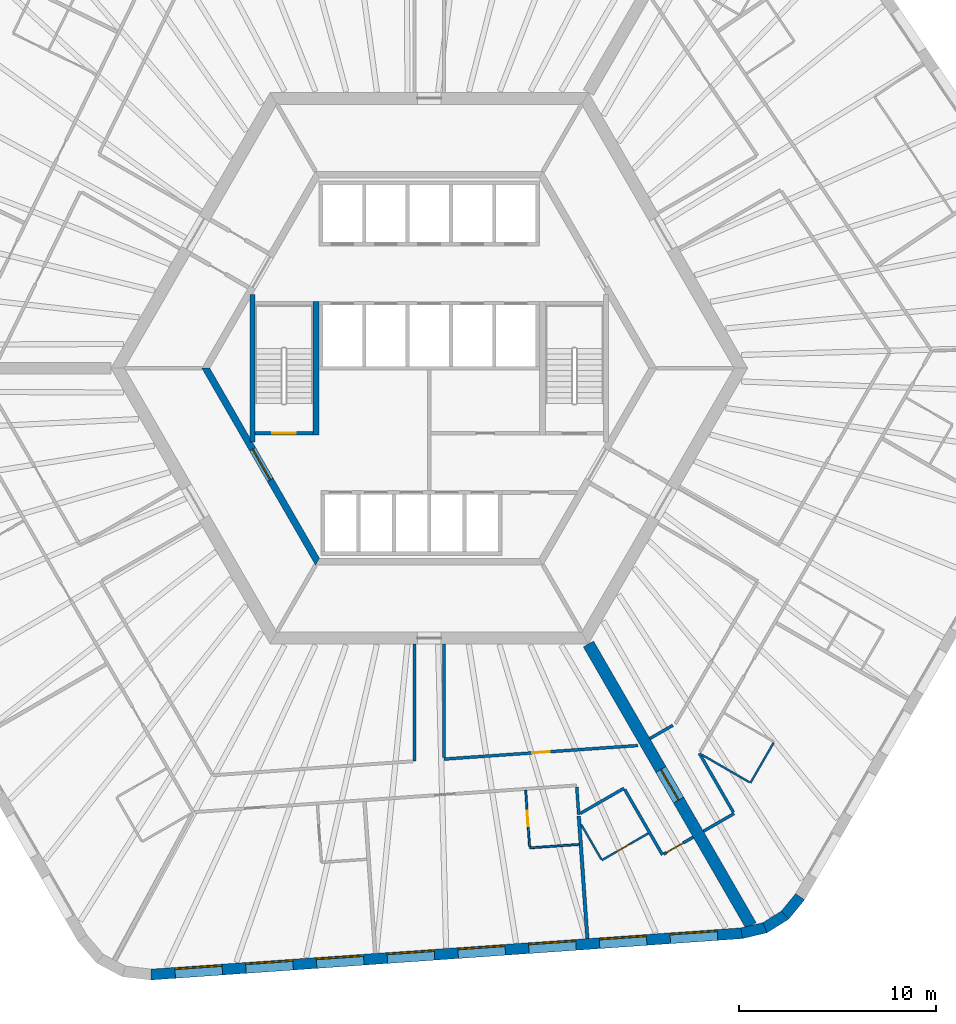
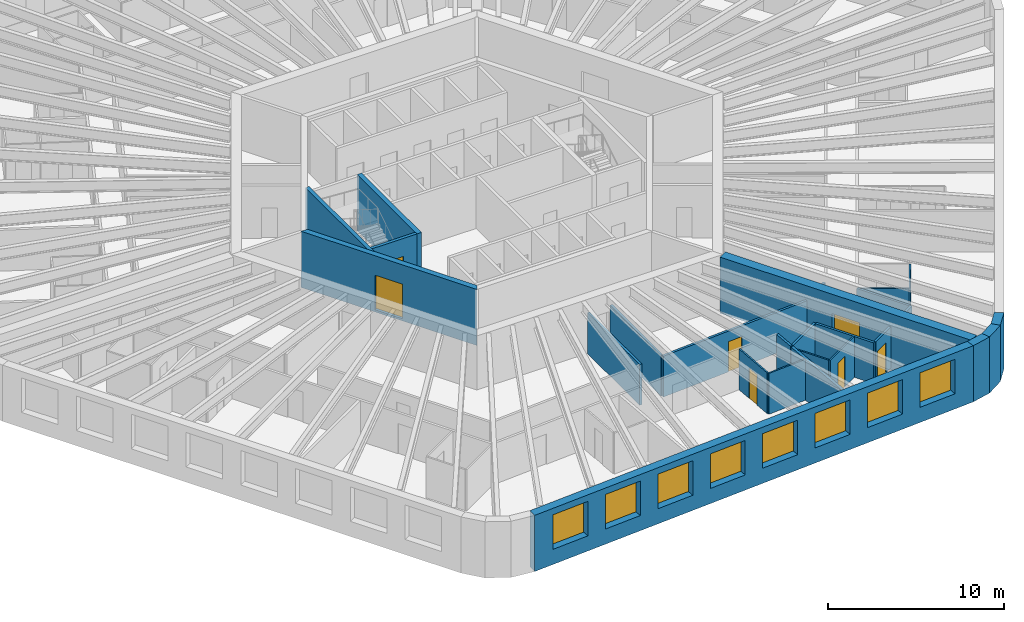
# One storey, part 4 of 12: 26 walls, 8 windows, 7 doors, 15 openings.
"""IFC4 building model written with IfcOpenShell, lengths in metres."""

from ifc_helpers import new_model, si_unit, direction, frame, frame_2d, origin, place, context, subcontext, project, spatial, polyline, rectangle, outline, extrude, material, layer, layer_set, type_object, element, fill, save


model = new_model("IFC4")

# Units and contexts
model_context = context("Model", 3, precision=1e-05, world=origin(), true_north=direction((0.0, 1.0)))
body_context = subcontext(model_context, "Body", "Model", "MODEL_VIEW")
ifc_project = project(units=[si_unit("LENGTHUNIT", "METRE"), si_unit("AREAUNIT", "SQUARE_METRE"), si_unit("VOLUMEUNIT", "CUBIC_METRE"), si_unit("PLANEANGLEUNIT", "RADIAN"), si_unit("MASSUNIT", "GRAM", prefix="KILO")], contexts=[model_context])

# Site, building, storey
site_placement = place(None, origin())
site = spatial("IfcSite", under=ifc_project, at=site_placement, CompositionType="ELEMENT")
building_placement = place(site_placement, origin())
building = spatial("IfcBuilding", under=site, at=building_placement, Name="Tarnside Tower", CompositionType="ELEMENT")
storey_placement = place(building_placement, frame((0.0, 0.0, 138.89990234375)))
storey = spatial("IfcBuildingStorey", under=building, at=storey_placement, Name="L32", CompositionType="ELEMENT", Elevation=138.89990234375)

# Wall
ifc_material_1 = material(Name="Gypsum board partition on steel studs", Category="steel")
ifc_layer_1 = layer(ifc_material_1, 0.10009765625)
ifc_layer_set_1 = layer_set([ifc_layer_1], Name="Bathroom wall 100")
wall_type_1 = type_object("IfcWallType", Name="Bathroom wall 100", PredefinedType="PARTITIONING", material=ifc_layer_set_1)
wall_1_placement = place(storey_placement, frame((7.60400390625, -24.178466796875, 0.0), z_axis=(0.0, 0.0, 1.0), x_axis=(-0.997565196586, -0.069740078583, 0.0)))
element("IfcWall", 1, at=wall_1_placement, inside=storey, type_object=wall_type_1, Name="Bathroom wall 10125", PredefinedType="PARTITIONING", context=body_context, shape_type="SweptSolid", body=[
    extrude(rectangle(XDim=2.510009765625, YDim=0.10009765625, at=frame_2d((1.2548828125, 0.0))), origin(), (0.0, 0.0, 1.0), 2.837890625),
])

# Wall, opening, door
wall_2_placement = place(storey_placement, frame((5.0966796875, -24.3037109375, 0.0), z_axis=(0.0, 0.0, 1.0), x_axis=(-0.069804620828, 0.99756068232, 0.0)))
wall_2 = element("IfcWall", 2, at=wall_2_placement, inside=storey, type_object=wall_type_1, Name="Bathroom wall 10126", PredefinedType="PARTITIONING", context=body_context, shape_type="SweptSolid", body=[
    extrude(rectangle(XDim=2.875, YDim=0.10009765625, at=frame_2d((1.4375, 0.0))), origin(), (0.0, 0.0, 1.0), 2.837890625),
])
opening_1_placement = place(wall_2_placement, frame((1.050048828125, 0.0, 0.0)))
opening_1 = element("IfcOpeningElement", 3, at=opening_1_placement, cuts=wall_2, Name="Opening D-B1", PredefinedType="OPENING", context=body_context, shape_type="SweptSolid", body=[
    extrude(rectangle(XDim=0.800048828125, YDim=2.10009765625, at=frame_2d((0.39990234375, 1.050048828125))), frame((0.0, 0.06005859375, 0.0), z_axis=(0.0, -1.0, 0.0), x_axis=(1.0, 0.0, 0.0)), (0.0, 0.0, 1.0), 0.1201171875),
])
ifc_material_2 = material(Name="Timber door leaf", Category="wood")
door_type_1 = type_object("IfcDoorType", Name="Bathroom door 800", OperationType="NOTDEFINED", PredefinedType="DOOR", material=ifc_material_2)
door_1_placement = place(opening_1_placement, origin())
door_1 = element("IfcDoor", 4, at=door_1_placement, inside=storey, type_object=door_type_1, Name="Bathroom door 10026", OperationType="SINGLE_SWING_RIGHT", OverallHeight=2.10009765625, OverallWidth=0.800048828125, PredefinedType="DOOR", context=body_context, shape_type="SweptSolid", body=[
    extrude(rectangle(XDim=0.800048828125, YDim=2.10009765625, at=frame_2d((0.39990234375, 1.050048828125))), frame((0.0, 0.02490234375, 0.0), z_axis=(0.0, -1.0, 0.0), x_axis=(1.0, 0.0, 0.0)), (0.0, 0.0, 1.0), 0.050048828125),
])
fill(opening_1, door_1)

wall_3_placement = place(storey_placement, frame((11.123291015625, -23.615966796875, 0.0), z_axis=(0.0, 0.0, 1.0), x_axis=(-0.866034909742, -0.499983534837, 0.0)))
wall_3 = element("IfcWall", 5, at=wall_3_placement, inside=storey, type_object=wall_type_1, Name="Bathroom wall 10130", PredefinedType="PARTITIONING", context=body_context, shape_type="SweptSolid", body=[
    extrude(rectangle(XDim=2.72509765625, YDim=0.10009765625, at=frame_2d((1.362548828125, 0.0))), origin(), (0.0, 0.0, 1.0), 2.837890625),
])
opening_2_placement = place(wall_3_placement, frame((1.06494140625, 0.0, 0.0)))
opening_2 = element("IfcOpeningElement", 6, at=opening_2_placement, cuts=wall_3, Name="Opening D-B1", PredefinedType="OPENING", context=body_context, shape_type="SweptSolid", body=[
    extrude(rectangle(XDim=0.800048828125, YDim=2.10009765625, at=frame_2d((0.39990234375, 1.050048828125))), frame((0.0, 0.06005859375, 0.0), z_axis=(0.0, -1.0, 0.0), x_axis=(1.0, 0.0, 0.0)), (0.0, 0.0, 1.0), 0.1201171875),
])
door_2_placement = place(opening_2_placement, origin())
door_2 = element("IfcDoor", 7, at=door_2_placement, inside=storey, type_object=door_type_1, Name="Bathroom door 10028", OperationType="SINGLE_SWING_LEFT", OverallHeight=2.10009765625, OverallWidth=0.800048828125, PredefinedType="DOOR", context=body_context, shape_type="SweptSolid", body=[
    extrude(rectangle(XDim=0.800048828125, YDim=2.10009765625, at=frame_2d((0.39990234375, 1.050048828125))), frame((0.0, 0.02490234375, 0.0), z_axis=(0.0, -1.0, 0.0), x_axis=(1.0, 0.0, 0.0)), (0.0, 0.0, 1.0), 0.050048828125),
])
fill(opening_2, door_2)

# Walls
wall_4_placement = place(storey_placement, frame((8.73828125, -24.93505859375, 0.0), z_axis=(0.0, 0.0, 1.0), x_axis=(-0.500045446624, 0.865999163574, 0.0)))
element("IfcWall", 8, at=wall_4_placement, inside=storey, type_object=wall_type_1, Name="Bathroom wall 10131", PredefinedType="PARTITIONING", context=body_context, shape_type="SweptSolid", body=[
    extrude(rectangle(XDim=2.050048828125, YDim=0.10009765625, at=frame_2d((1.02490234375, 0.0))), origin(), (0.0, 0.0, 1.0), 2.837890625),
])
wall_5_placement = place(storey_placement, frame((17.485107421875, -19.014892578125, 0.0), z_axis=(0.0, 0.0, 1.0), x_axis=(-0.500016218704, -0.866016039709, 0.0)))
element("IfcWall", 9, at=wall_5_placement, inside=storey, type_object=wall_type_1, Name="Bathroom wall 10133", PredefinedType="PARTITIONING", context=body_context, shape_type="SweptSolid", body=[
    extrude(rectangle(XDim=2.35009765625, YDim=0.10009765625, at=frame_2d((1.175048828125, 0.0))), origin(), (0.0, 0.0, 1.0), 2.837890625),
])
wall_6_placement = place(storey_placement, frame((16.266845703125, -21.02490234375, 0.0), z_axis=(0.0, 0.0, 1.0), x_axis=(-0.866034573852, 0.49998411664, 0.0)))
element("IfcWall", 10, at=wall_6_placement, inside=storey, type_object=wall_type_1, Name="Bathroom wall 10134", PredefinedType="PARTITIONING", context=body_context, shape_type="SweptSolid", body=[
    extrude(rectangle(XDim=2.7998046875, YDim=0.10009765625, at=frame_2d((1.39990234375, 0.0))), origin(), (0.0, 0.0, 1.0), 2.837890625),
])

# Wall, opening, door
ifc_material_3 = material(Name="Concrete C50/60", Category="concrete")
ifc_layer_2 = layer(ifc_material_3, 0.35009765625)
ifc_layer_set_2 = layer_set([ifc_layer_2], Name="Core block wall 350 C50/60")
wall_type_2 = type_object("IfcWallType", Name="Core block wall 350 C50/60", PredefinedType="SHEAR", material=ifc_layer_set_2)
wall_7_placement = place(storey_placement, frame((-11.344970703125, 0.0, -0.14990234375), z_axis=(0.0, 0.0, 1.0), x_axis=(0.499995046907, -0.866028263435, 0.0)))
wall_7 = element("IfcWall", 11, at=wall_7_placement, inside=storey, type_object=wall_type_2, Name="L32 core block wall face 3", PredefinedType="SHEAR", context=body_context, shape_type="SweptSolid", body=[
    extrude(outline(polyline([(-0.10107421875, -0.175048828125), (11.44580078125, -0.175048828125), (11.24365234375, 0.175048828125), (0.10107421875, 0.175048828125), (-0.10107421875, -0.175048828125)])), origin(), (0.0, 0.0, 1.0), 3.89990234375),
])
opening_3_placement = place(wall_7_placement, frame((4.74365234375, 0.0, 0.14990234375)))
opening_3 = element("IfcOpeningElement", 12, at=opening_3_placement, cuts=wall_7, Name="Opening CD-FFL", PredefinedType="OPENING", context=body_context, shape_type="SweptSolid", body=[
    extrude(rectangle(XDim=1.800048828125, YDim=2.39990234375, at=frame_2d((0.89990234375, 1.199951171875))), frame((0.0, 0.18505859375, 0.0), z_axis=(0.0, -1.0, 0.0), x_axis=(1.0, 0.0, 0.0)), (0.0, 0.0, 1.0), 0.3701171875),
])
ifc_material_4 = material(Name="Steel fire door", Category="steel")
door_type_2 = type_object("IfcDoorType", Name="Firefighting lobby double door FD60S 1800x2400", OperationType="NOTDEFINED", PredefinedType="DOOR", material=ifc_material_4)
door_3_placement = place(opening_3_placement, origin())
door_3 = element("IfcDoor", 13, at=door_3_placement, inside=storey, type_object=door_type_2, Name="L32 lobby block door P3", OperationType="DOUBLE_DOOR_SINGLE_SWING", OverallHeight=2.39990234375, OverallWidth=1.800048828125, PredefinedType="DOOR", context=body_context, shape_type="SweptSolid", body=[
    extrude(rectangle(XDim=1.800048828125, YDim=2.39990234375, at=frame_2d((0.89990234375, 1.199951171875))), frame((0.0, 0.02490234375, 0.0), z_axis=(0.0, -1.0, 0.0), x_axis=(1.0, 0.0, 0.0)), (0.0, 0.0, 1.0), 0.050048828125),
])
fill(opening_3, door_3)

ifc_material_5 = material(Name="Concrete C80/95", Category="concrete")
ifc_layer_3 = layer(ifc_material_5, 0.60009765625)
ifc_layer_set_3 = layer_set([ifc_layer_3], Name="Core wall Z1 600 C80/95")
wall_type_3 = type_object("IfcWallType", Name="Core wall Z1 600 C80/95", PredefinedType="SHEAR", material=ifc_layer_set_3)
wall_8_placement = place(storey_placement, frame((8.0830078125, -14.0, -0.14990234375), z_axis=(0.0, 0.0, 1.0), x_axis=(0.499997680643, -0.866026742862, 0.0)))
wall_8 = element("IfcWall", 14, at=wall_8_placement, inside=storey, type_object=wall_type_3, Name="L32 spine wall 3", PredefinedType="SHEAR", context=body_context, shape_type="SweptSolid", body=[
    extrude(rectangle(XDim=16.5087890625, YDim=0.60009765625, at=frame_2d((8.25439453125, 0.0))), origin(), (0.0, 0.0, 1.0), 3.89990234375),
])
opening_4_placement = place(wall_8_placement, frame((7.3544921875, 0.0, 0.14990234375)))
opening_4 = element("IfcOpeningElement", 15, at=opening_4_placement, cuts=wall_8, Name="Opening CD-SPN", PredefinedType="OPENING", context=body_context, shape_type="SweptSolid", body=[
    extrude(rectangle(XDim=1.800048828125, YDim=2.39990234375, at=frame_2d((0.89990234375, 1.199951171875))), frame((0.0, 0.31005859375, 0.0), z_axis=(0.0, -1.0, 0.0), x_axis=(1.0, 0.0, 0.0)), (0.0, 0.0, 1.0), 0.6201171875),
])
door_type_3 = type_object("IfcDoorType", Name="Spine passage double door FD60 1800x2400", OperationType="NOTDEFINED", PredefinedType="DOOR", material=ifc_material_4)
door_4_placement = place(opening_4_placement, origin())
door_4 = element("IfcDoor", 16, at=door_4_placement, inside=storey, type_object=door_type_3, Name="L32 spine passage door 3", OperationType="DOUBLE_DOOR_SINGLE_SWING", OverallHeight=2.39990234375, OverallWidth=1.800048828125, PredefinedType="DOOR", context=body_context, shape_type="SweptSolid", body=[
    extrude(rectangle(XDim=1.800048828125, YDim=2.39990234375, at=frame_2d((0.89990234375, 1.199951171875))), frame((0.0, 0.02490234375, 0.0), z_axis=(0.0, -1.0, 0.0), x_axis=(1.0, 0.0, 0.0)), (0.0, 0.0, 1.0), 0.050048828125),
])
fill(opening_4, door_4)

# Walls
ifc_layer_4 = layer(ifc_material_1, 0.14990234375)
ifc_layer_set_4 = layer_set([ifc_layer_4], Name="Corridor wall 150 EI 60")
wall_type_4 = type_object("IfcWallType", Name="Corridor wall 150 EI 60", PredefinedType="PARTITIONING", material=ifc_layer_set_4)
wall_9_placement = place(storey_placement, frame((7.48974609375, -21.25439453125, 0.0), z_axis=(0.0, 0.0, 1.0), x_axis=(0.069718673592, -0.997566692784, 0.0)))
element("IfcWall", 17, at=wall_9_placement, inside=storey, type_object=wall_type_4, Name="Corridor wall 10037", PredefinedType="PARTITIONING", context=body_context, shape_type="SweptSolid", body=[
    extrude(rectangle(XDim=1.40771484375, YDim=0.14990234375, at=frame_2d((0.703857421875, 0.0))), origin(), (0.0, 0.0, 1.0), 2.837890625),
])
wall_10_placement = place(storey_placement, frame((9.925537109375, -21.391845703125, 0.0), z_axis=(0.0, 0.0, 1.0), x_axis=(0.500031306162, -0.866007328409, 0.0)))
element("IfcWall", 18, at=wall_10_placement, inside=storey, type_object=wall_type_4, Name="Corridor wall 10038", PredefinedType="PARTITIONING", context=body_context, shape_type="SweptSolid", body=[
    extrude(rectangle(XDim=3.831787109375, YDim=0.14990234375, at=frame_2d((1.916015625, 0.0))), origin(), (0.0, 0.0, 1.0), 2.837890625),
])

# Wall, opening, door
wall_11_placement = place(storey_placement, frame((11.906494140625, -24.672607421875, 0.0), z_axis=(0.0, 0.0, 1.0), x_axis=(0.866013532718, 0.500020560727, 0.0)))
wall_11 = element("IfcWall", 19, at=wall_11_placement, inside=storey, type_object=wall_type_4, Name="Corridor wall 10039", PredefinedType="PARTITIONING", context=body_context, shape_type="SweptSolid", body=[
    extrude(rectangle(XDim=1.72509765625, YDim=0.14990234375, at=frame_2d((0.862548828125, 0.0))), origin(), (0.0, 0.0, 1.0), 2.837890625),
])
opening_5_placement = place(wall_11_placement, frame((0.14990234375, 0.0, 0.0)))
opening_5 = element("IfcOpeningElement", 20, at=opening_5_placement, cuts=wall_11, Name="Opening D-E1", PredefinedType="OPENING", context=body_context, shape_type="SweptSolid", body=[
    extrude(rectangle(XDim=1.0, YDim=2.10009765625, at=frame_2d((0.5, 1.050048828125))), frame((0.0, 0.0849609375, 0.0), z_axis=(0.0, -1.0, 0.0), x_axis=(1.0, 0.0, 0.0)), (0.0, 0.0, 1.0), 0.169921875),
])
door_type_4 = type_object("IfcDoorType", Name="Unit entrance door 1000 FD30S", OperationType="NOTDEFINED", PredefinedType="DOOR", material=ifc_material_2)
door_5_placement = place(opening_5_placement, origin())
door_5 = element("IfcDoor", 21, at=door_5_placement, inside=storey, type_object=door_type_4, Name="Unit door 10027", OperationType="SINGLE_SWING_RIGHT", OverallHeight=2.10009765625, OverallWidth=1.0, PredefinedType="DOOR", context=body_context, shape_type="SweptSolid", body=[
    extrude(rectangle(XDim=1.0, YDim=2.10009765625, at=frame_2d((0.5, 1.050048828125))), frame((0.0, 0.02490234375, 0.0), z_axis=(0.0, -1.0, 0.0), x_axis=(1.0, 0.0, 0.0)), (0.0, 0.0, 1.0), 0.050048828125),
])
fill(opening_5, door_5)

# Walls
wall_12_placement = place(storey_placement, frame((7.659912109375, -22.61328125, 0.0), z_axis=(0.0, 0.0, 1.0), x_axis=(0.866003870164, 0.500037295471, 0.0)))
element("IfcWall", 22, at=wall_12_placement, inside=storey, type_object=wall_type_4, Name="Corridor wall 10040", PredefinedType="PARTITIONING", context=body_context, shape_type="SweptSolid", body=[
    extrude(rectangle(XDim=2.572998046875, YDim=0.14990234375, at=frame_2d((1.28662109375, 0.0))), origin(), (0.0, 0.0, 1.0), 2.837890625),
])
wall_13_placement = place(storey_placement, frame((-0.75, -14.0, 0.0), z_axis=(0.0, 0.0, 1.0), x_axis=(0.0, -1.0, 0.0)))
element("IfcWall", 23, at=wall_13_placement, inside=storey, type_object=wall_type_4, Name="Corridor wall 10045", PredefinedType="PARTITIONING", context=body_context, shape_type="SweptSolid", body=[
    extrude(rectangle(XDim=5.950927734375, YDim=0.14990234375, at=frame_2d((2.9755859375, 0.0))), origin(), (0.0, 0.0, 1.0), 2.837890625),
])

# Wall, opening, door
wall_14_placement = place(storey_placement, frame((10.58740234375, -19.158203125, 0.0), z_axis=(0.0, 0.0, 1.0), x_axis=(-0.997565137136, -0.069740928955, 0.0)))
wall_14 = element("IfcWall", 24, at=wall_14_placement, inside=storey, type_object=wall_type_4, Name="Corridor wall 10049", PredefinedType="PARTITIONING", context=body_context, shape_type="SweptSolid", body=[
    extrude(rectangle(XDim=9.861328125, YDim=0.14990234375, at=frame_2d((4.9306640625, 0.0))), origin(), (0.0, 0.0, 1.0), 2.837890625),
])
opening_6_placement = place(wall_14_placement, frame((4.480712890625, 0.0, 0.0)))
opening_6 = element("IfcOpeningElement", 25, at=opening_6_placement, cuts=wall_14, Name="Opening D-S1", PredefinedType="OPENING", context=body_context, shape_type="SweptSolid", body=[
    extrude(rectangle(XDim=0.89990234375, YDim=2.10009765625, at=frame_2d((0.449951171875, 1.050048828125))), frame((0.0, 0.0849609375, 0.0), z_axis=(0.0, -1.0, 0.0), x_axis=(1.0, 0.0, 0.0)), (0.0, 0.0, 1.0), 0.169921875),
])
door_type_5 = type_object("IfcDoorType", Name="Service room door 900 FD30S", OperationType="NOTDEFINED", PredefinedType="DOOR", material=ifc_material_2)
door_6_placement = place(opening_6_placement, origin())
door_6 = element("IfcDoor", 26, at=door_6_placement, inside=storey, type_object=door_type_5, Name="Service door 10047", OperationType="SINGLE_SWING_RIGHT", OverallHeight=2.10009765625, OverallWidth=0.89990234375, PredefinedType="DOOR", context=body_context, shape_type="SweptSolid", body=[
    extrude(rectangle(XDim=0.89990234375, YDim=2.10009765625, at=frame_2d((0.449951171875, 1.050048828125))), frame((0.0, 0.02490234375, 0.0), z_axis=(0.0, -1.0, 0.0), x_axis=(1.0, 0.0, 0.0)), (0.0, 0.0, 1.0), 0.050048828125),
])
fill(opening_6, door_6)

# Walls
wall_15_placement = place(storey_placement, frame((0.75, -19.770751953125, 0.0), z_axis=(0.0, 0.0, 1.0), x_axis=(0.0, 1.0, 0.0)))
element("IfcWall", 27, at=wall_15_placement, inside=storey, type_object=wall_type_4, Name="Corridor wall 10050", PredefinedType="PARTITIONING", context=body_context, shape_type="SweptSolid", body=[
    extrude(rectangle(XDim=5.770751953125, YDim=0.14990234375, at=frame_2d((2.88525390625, 0.0))), origin(), (0.0, 0.0, 1.0), 2.837890625),
])
wall_16_placement = place(storey_placement, frame((13.919921875, -23.510009765625, 0.0), z_axis=(0.0, 0.0, 1.0), x_axis=(0.866047807691, 0.499961193289, 0.0)))
element("IfcWall", 28, at=wall_16_placement, inside=storey, type_object=wall_type_4, Name="Corridor wall 10051", PredefinedType="PARTITIONING", context=body_context, shape_type="SweptSolid", body=[
    extrude(rectangle(XDim=1.800048828125, YDim=0.14990234375, at=frame_2d((0.89990234375, 0.0))), origin(), (0.0, 0.0, 1.0), 2.837890625),
])
wall_17_placement = place(storey_placement, frame((15.44140625, -22.545166015625, 0.0), z_axis=(0.0, 0.0, 1.0), x_axis=(-0.500003541824, 0.866023358902, 0.0)))
element("IfcWall", 29, at=wall_17_placement, inside=storey, type_object=wall_type_4, Name="Corridor wall 10052", PredefinedType="PARTITIONING", context=body_context, shape_type="SweptSolid", body=[
    extrude(rectangle(XDim=3.45849609375, YDim=0.14990234375, at=frame_2d((1.729248046875, 0.0))), origin(), (0.0, 0.0, 1.0), 2.837890625),
])
wall_18_placement = place(storey_placement, frame((12.3662109375, -18.131103515625, 0.0), z_axis=(0.0, 0.0, 1.0), x_axis=(-0.866043397086, -0.499968833392, 0.0)))
element("IfcWall", 30, at=wall_18_placement, inside=storey, type_object=wall_type_4, Name="Corridor wall 10073", PredefinedType="PARTITIONING", context=body_context, shape_type="SweptSolid", body=[
    extrude(rectangle(XDim=1.34375, YDim=0.14990234375, at=frame_2d((0.671875, 0.0))), origin(), (0.0, 0.0, 1.0), 2.837890625),
])
ifc_layer_5 = layer(ifc_material_1, 0.179931640625)
ifc_layer_set_5 = layer_set([ifc_layer_5], Name="Demising wall 180 EI 60")
wall_type_5 = type_object("IfcWallType", Name="Demising wall 180 EI 60", PredefinedType="PARTITIONING", material=ifc_layer_set_5)
wall_19_placement = place(storey_placement, frame((8.028564453125, -28.96044921875, 0.0), z_axis=(0.0, 0.0, 1.0), x_axis=(-0.069750446855, 0.997564471683, 0.0)))
element("IfcWall", 31, at=wall_19_placement, inside=storey, type_object=wall_type_5, Name="Demising wall 10127", PredefinedType="PARTITIONING", context=body_context, shape_type="SweptSolid", body=[
    extrude(rectangle(XDim=6.2373046875, YDim=0.179931640625, at=frame_2d((3.11865234375, 0.0))), origin(), (0.0, 0.0, 1.0), 2.837890625),
])

# Wall, opening, door
ifc_material_6 = material(Name="Concrete C40/50", Category="concrete")
ifc_layer_6 = layer(ifc_material_6, 0.199951171875)
ifc_layer_set_6 = layer_set([ifc_layer_6], Name="Lift shaft wall 200 C40/50")
wall_type_6 = type_object("IfcWallType", Name="Lift shaft wall 200 C40/50", PredefinedType="SHEAR", material=ifc_layer_set_6)
wall_20_placement = place(storey_placement, frame((-8.85009765625, -3.300048828125, -0.25), z_axis=(0.0, 0.0, 1.0), x_axis=(1.0, 0.0, 0.0)))
wall_20 = element("IfcWall", 32, at=wall_20_placement, inside=storey, type_object=wall_type_6, Name="L32 stair 2 enclosure cap wall s", PredefinedType="SHEAR", context=body_context, shape_type="SweptSolid", body=[
    extrude(rectangle(XDim=2.9501953125, YDim=0.199951171875, at=frame_2d((1.47509765625, 0.0))), origin(), (0.0, 0.0, 1.0), 3.900146484375),
])
opening_7_placement = place(wall_20_placement, frame((0.875, 0.0, 0.25)))
opening_7 = element("IfcOpeningElement", 33, at=opening_7_placement, cuts=wall_20, Name="Opening CD-STR", PredefinedType="OPENING", context=body_context, shape_type="SweptSolid", body=[
    extrude(rectangle(XDim=1.199951171875, YDim=2.39990234375, at=frame_2d((0.60009765625, 1.199951171875))), frame((0.0, 0.10986328125, 0.0), z_axis=(0.0, -1.0, 0.0), x_axis=(1.0, 0.0, 0.0)), (0.0, 0.0, 1.0), 0.219970703125),
])
door_type_6 = type_object("IfcDoorType", Name="Stair door FD60S 1200x2400", OperationType="NOTDEFINED", PredefinedType="DOOR", material=ifc_material_4)
door_7_placement = place(opening_7_placement, origin())
door_7 = element("IfcDoor", 34, at=door_7_placement, inside=storey, type_object=door_type_6, Name="L32 stair 2 door", OperationType="SINGLE_SWING_LEFT", OverallHeight=2.39990234375, OverallWidth=1.199951171875, PredefinedType="DOOR", context=body_context, shape_type="SweptSolid", body=[
    extrude(rectangle(XDim=1.199951171875, YDim=2.39990234375, at=frame_2d((0.60009765625, 1.199951171875))), frame((0.0, 0.02490234375, 0.0), z_axis=(0.0, -1.0, 0.0), x_axis=(1.0, 0.0, 0.0)), (0.0, 0.0, 1.0), 0.050048828125),
])
fill(opening_7, door_7)

# Walls
ifc_layer_7 = layer(ifc_material_6, 0.25)
ifc_layer_set_7 = layer_set([ifc_layer_7], Name="Stair enclosure wall 250 C40/50")
wall_type_7 = type_object("IfcWallType", Name="Stair enclosure wall 250 C40/50", PredefinedType="SHEAR", material=ifc_layer_set_7)
wall_21_placement = place(storey_placement, frame((-8.97509765625, -3.7548828125, -0.25), z_axis=(0.0, 0.0, 1.0), x_axis=(0.0, 1.0, 0.0)))
element("IfcWall", 35, at=wall_21_placement, inside=storey, type_object=wall_type_7, Name="L32 stair 2 enclosure wall outer", PredefinedType="SHEAR", context=body_context, shape_type="SweptSolid", body=[
    extrude(rectangle(XDim=7.509765625, YDim=0.25, at=frame_2d((3.7548828125, 0.0))), origin(), (0.0, 0.0, 1.0), 3.900146484375),
])
ifc_layer_8 = layer(ifc_material_6, 0.300048828125)
ifc_layer_set_8 = layer_set([ifc_layer_8], Name="Stair enclosure wall 300 C40/50")
wall_type_8 = type_object("IfcWallType", Name="Stair enclosure wall 300 C40/50", PredefinedType="SHEAR", material=ifc_layer_set_8)
wall_22_placement = place(storey_placement, frame((-5.75, -3.39990234375, -0.25), z_axis=(0.0, 0.0, 1.0), x_axis=(0.0, 1.0, 0.0)))
element("IfcWall", 36, at=wall_22_placement, inside=storey, type_object=wall_type_8, Name="L32 stair 2 enclosure wall inner", PredefinedType="SHEAR", context=body_context, shape_type="SweptSolid", body=[
    extrude(rectangle(XDim=6.7998046875, YDim=0.300048828125, at=frame_2d((3.39990234375, 0.0))), origin(), (0.0, 0.0, 1.0), 3.900146484375),
])

# Wall, openings, windows
ifc_material_7 = material(Name="Facing brick", Category="masonry")
ifc_layer_9 = layer(ifc_material_7, 0.10205078125)
ifc_material_8 = material(Name="Concrete C60/75 precast", Category="concrete")
ifc_layer_10 = layer(ifc_material_8, 0.347900390625)
ifc_material_9 = material(Name="Mineral wool insulation")
ifc_layer_11 = layer(ifc_material_9, 0.10009765625)
ifc_layer_set_9 = layer_set([ifc_layer_9, ifc_layer_10, ifc_layer_11], Name="Tube wall 550 brick faced")
wall_type_9 = type_object("IfcWallType", Name="Tube wall 550 brick faced", PredefinedType="SOLIDWALL", material=ifc_layer_set_9)
wall_23_placement = place(storey_placement, frame((-14.133544921875, -30.785888671875, -0.14990234375), z_axis=(0.0, 0.0, 1.0), x_axis=(0.997564037441, 0.069756657061, 0.0)))
wall_23 = element("IfcWall", 37, at=wall_23_placement, inside=storey, type_object=wall_type_9, Name="Tube wall L32 F4 flush 12", PredefinedType="SOLIDWALL", context=body_context, shape_type="SweptSolid", body=[
    extrude(outline(polyline([(-0.025634765625, -0.27490234375), (30.093505859375, -0.27490234375), (30.048583984375, 0.27490234375), (0.025634765625, 0.27490234375), (-0.025634765625, -0.27490234375)])), origin(), (0.0, 0.0, 1.0), 3.89990234375),
])
opening_8_placement = place(wall_23_placement, frame((1.235595703125, 0.0, 1.050048828125)))
opening_8 = element("IfcOpeningElement", 38, at=opening_8_placement, cuts=wall_23, Name="Opening WH", PredefinedType="OPENING", context=body_context, shape_type="SweptSolid", body=[
    extrude(rectangle(XDim=2.39990234375, YDim=2.39990234375, at=frame_2d((1.199951171875, 1.199951171875))), frame((0.0, 0.28515625, 0.0), z_axis=(0.0, -1.0, 0.0), x_axis=(1.0, 0.0, 0.0)), (0.0, 0.0, 1.0), 0.570068359375),
])
opening_9_placement = place(wall_23_placement, frame((4.83544921875, 0.0, 1.050048828125)))
opening_9 = element("IfcOpeningElement", 39, at=opening_9_placement, cuts=wall_23, Name="Opening WH", PredefinedType="OPENING", context=body_context, shape_type="SweptSolid", body=[
    extrude(rectangle(XDim=2.39990234375, YDim=2.39990234375, at=frame_2d((1.199951171875, 1.199951171875))), frame((0.0, 0.28515625, 0.0), z_axis=(0.0, -1.0, 0.0), x_axis=(1.0, 0.0, 0.0)), (0.0, 0.0, 1.0), 0.570068359375),
])
opening_10_placement = place(wall_23_placement, frame((8.435546875, 0.0, 1.050048828125)))
opening_10 = element("IfcOpeningElement", 40, at=opening_10_placement, cuts=wall_23, Name="Opening WH", PredefinedType="OPENING", context=body_context, shape_type="SweptSolid", body=[
    extrude(rectangle(XDim=2.39990234375, YDim=2.39990234375, at=frame_2d((1.199951171875, 1.199951171875))), frame((0.0, 0.28515625, 0.0), z_axis=(0.0, -1.0, 0.0), x_axis=(1.0, 0.0, 0.0)), (0.0, 0.0, 1.0), 0.570068359375),
])
opening_11_placement = place(wall_23_placement, frame((12.035400390625, 0.0, 1.050048828125)))
opening_11 = element("IfcOpeningElement", 41, at=opening_11_placement, cuts=wall_23, Name="Opening WH", PredefinedType="OPENING", context=body_context, shape_type="SweptSolid", body=[
    extrude(rectangle(XDim=2.39990234375, YDim=2.39990234375, at=frame_2d((1.199951171875, 1.199951171875))), frame((0.0, 0.28515625, 0.0), z_axis=(0.0, -1.0, 0.0), x_axis=(1.0, 0.0, 0.0)), (0.0, 0.0, 1.0), 0.570068359375),
])
opening_12_placement = place(wall_23_placement, frame((15.635498046875, 0.0, 1.050048828125)))
opening_12 = element("IfcOpeningElement", 42, at=opening_12_placement, cuts=wall_23, Name="Opening WH", PredefinedType="OPENING", context=body_context, shape_type="SweptSolid", body=[
    extrude(rectangle(XDim=2.39990234375, YDim=2.39990234375, at=frame_2d((1.199951171875, 1.199951171875))), frame((0.0, 0.28515625, 0.0), z_axis=(0.0, -1.0, 0.0), x_axis=(1.0, 0.0, 0.0)), (0.0, 0.0, 1.0), 0.570068359375),
])
opening_13_placement = place(wall_23_placement, frame((19.235595703125, 0.0, 1.050048828125)))
opening_13 = element("IfcOpeningElement", 43, at=opening_13_placement, cuts=wall_23, Name="Opening WH", PredefinedType="OPENING", context=body_context, shape_type="SweptSolid", body=[
    extrude(rectangle(XDim=2.39990234375, YDim=2.39990234375, at=frame_2d((1.199951171875, 1.199951171875))), frame((0.0, 0.28515625, 0.0), z_axis=(0.0, -1.0, 0.0), x_axis=(1.0, 0.0, 0.0)), (0.0, 0.0, 1.0), 0.570068359375),
])
opening_14_placement = place(wall_23_placement, frame((22.83544921875, 0.0, 1.050048828125)))
opening_14 = element("IfcOpeningElement", 44, at=opening_14_placement, cuts=wall_23, Name="Opening WH", PredefinedType="OPENING", context=body_context, shape_type="SweptSolid", body=[
    extrude(rectangle(XDim=2.39990234375, YDim=2.39990234375, at=frame_2d((1.199951171875, 1.199951171875))), frame((0.0, 0.28515625, 0.0), z_axis=(0.0, -1.0, 0.0), x_axis=(1.0, 0.0, 0.0)), (0.0, 0.0, 1.0), 0.570068359375),
])
opening_15_placement = place(wall_23_placement, frame((26.435546875, 0.0, 1.050048828125)))
opening_15 = element("IfcOpeningElement", 45, at=opening_15_placement, cuts=wall_23, Name="Opening WH", PredefinedType="OPENING", context=body_context, shape_type="SweptSolid", body=[
    extrude(rectangle(XDim=2.39990234375, YDim=2.39990234375, at=frame_2d((1.199951171875, 1.199951171875))), frame((0.0, 0.28515625, 0.0), z_axis=(0.0, -1.0, 0.0), x_axis=(1.0, 0.0, 0.0)), (0.0, 0.0, 1.0), 0.570068359375),
])
ifc_material_10 = material(Name="Aluminium-framed double glazing", Category="aluminium")
window_type = type_object("IfcWindowType", Name="Hotel window 2400 x 2400", PartitioningType="DOUBLE_PANEL_VERTICAL", PredefinedType="WINDOW", material=ifc_material_10)
window_1_placement = place(opening_8_placement, frame((0.0, 0.205078125, 0.0)))
window_1 = element("IfcWindow", 46, at=window_1_placement, inside=storey, type_object=window_type, Name="E.WN.L32.F4.00", OverallHeight=2.39990234375, OverallWidth=2.39990234375, PartitioningType="DOUBLE_PANEL_VERTICAL", PredefinedType="WINDOW", context=body_context, shape_type="SweptSolid", body=[
    extrude(rectangle(XDim=2.39990234375, YDim=2.39990234375, at=frame_2d((1.199951171875, 1.199951171875))), frame((0.0, 0.030029296875, 0.0), z_axis=(0.0, -1.0, 0.0), x_axis=(1.0, 0.0, 0.0)), (0.0, 0.0, 1.0), 0.06005859375),
])
fill(opening_8, window_1)
window_2_placement = place(opening_9_placement, frame((0.0, 0.205078125, 0.0)))
window_2 = element("IfcWindow", 47, at=window_2_placement, inside=storey, type_object=window_type, Name="E.WN.L32.F4.01", OverallHeight=2.39990234375, OverallWidth=2.39990234375, PartitioningType="DOUBLE_PANEL_VERTICAL", PredefinedType="WINDOW", context=body_context, shape_type="SweptSolid", body=[
    extrude(rectangle(XDim=2.39990234375, YDim=2.39990234375, at=frame_2d((1.199951171875, 1.199951171875))), frame((0.0, 0.030029296875, 0.0), z_axis=(0.0, -1.0, 0.0), x_axis=(1.0, 0.0, 0.0)), (0.0, 0.0, 1.0), 0.06005859375),
])
fill(opening_9, window_2)
window_3_placement = place(opening_10_placement, frame((0.0, 0.205078125, 0.0)))
window_3 = element("IfcWindow", 48, at=window_3_placement, inside=storey, type_object=window_type, Name="E.WN.L32.F4.02", OverallHeight=2.39990234375, OverallWidth=2.39990234375, PartitioningType="DOUBLE_PANEL_VERTICAL", PredefinedType="WINDOW", context=body_context, shape_type="SweptSolid", body=[
    extrude(rectangle(XDim=2.39990234375, YDim=2.39990234375, at=frame_2d((1.199951171875, 1.199951171875))), frame((0.0, 0.030029296875, 0.0), z_axis=(0.0, -1.0, 0.0), x_axis=(1.0, 0.0, 0.0)), (0.0, 0.0, 1.0), 0.06005859375),
])
fill(opening_10, window_3)
window_4_placement = place(opening_11_placement, frame((0.0, 0.205078125, 0.0)))
window_4 = element("IfcWindow", 49, at=window_4_placement, inside=storey, type_object=window_type, Name="E.WN.L32.F4.03", OverallHeight=2.39990234375, OverallWidth=2.39990234375, PartitioningType="DOUBLE_PANEL_VERTICAL", PredefinedType="WINDOW", context=body_context, shape_type="SweptSolid", body=[
    extrude(rectangle(XDim=2.39990234375, YDim=2.39990234375, at=frame_2d((1.199951171875, 1.199951171875))), frame((0.0, 0.030029296875, 0.0), z_axis=(0.0, -1.0, 0.0), x_axis=(1.0, 0.0, 0.0)), (0.0, 0.0, 1.0), 0.06005859375),
])
fill(opening_11, window_4)
window_5_placement = place(opening_12_placement, frame((0.0, 0.205078125, 0.0)))
window_5 = element("IfcWindow", 50, at=window_5_placement, inside=storey, type_object=window_type, Name="E.WN.L32.F4.04", OverallHeight=2.39990234375, OverallWidth=2.39990234375, PartitioningType="DOUBLE_PANEL_VERTICAL", PredefinedType="WINDOW", context=body_context, shape_type="SweptSolid", body=[
    extrude(rectangle(XDim=2.39990234375, YDim=2.39990234375, at=frame_2d((1.199951171875, 1.199951171875))), frame((0.0, 0.030029296875, 0.0), z_axis=(0.0, -1.0, 0.0), x_axis=(1.0, 0.0, 0.0)), (0.0, 0.0, 1.0), 0.06005859375),
])
fill(opening_12, window_5)
window_6_placement = place(opening_13_placement, frame((0.0, 0.205078125, 0.0)))
window_6 = element("IfcWindow", 51, at=window_6_placement, inside=storey, type_object=window_type, Name="E.WN.L32.F4.05", OverallHeight=2.39990234375, OverallWidth=2.39990234375, PartitioningType="DOUBLE_PANEL_VERTICAL", PredefinedType="WINDOW", context=body_context, shape_type="SweptSolid", body=[
    extrude(rectangle(XDim=2.39990234375, YDim=2.39990234375, at=frame_2d((1.199951171875, 1.199951171875))), frame((0.0, 0.030029296875, 0.0), z_axis=(0.0, -1.0, 0.0), x_axis=(1.0, 0.0, 0.0)), (0.0, 0.0, 1.0), 0.06005859375),
])
fill(opening_13, window_6)
window_7_placement = place(opening_14_placement, frame((0.0, 0.205078125, 0.0)))
window_7 = element("IfcWindow", 52, at=window_7_placement, inside=storey, type_object=window_type, Name="E.WN.L32.F4.06", OverallHeight=2.39990234375, OverallWidth=2.39990234375, PartitioningType="DOUBLE_PANEL_VERTICAL", PredefinedType="WINDOW", context=body_context, shape_type="SweptSolid", body=[
    extrude(rectangle(XDim=2.39990234375, YDim=2.39990234375, at=frame_2d((1.199951171875, 1.199951171875))), frame((0.0, 0.030029296875, 0.0), z_axis=(0.0, -1.0, 0.0), x_axis=(1.0, 0.0, 0.0)), (0.0, 0.0, 1.0), 0.06005859375),
])
fill(opening_14, window_7)
window_8_placement = place(opening_15_placement, frame((0.0, 0.205078125, 0.0)))
window_8 = element("IfcWindow", 53, at=window_8_placement, inside=storey, type_object=window_type, Name="E.WN.L32.F4.07", OverallHeight=2.39990234375, OverallWidth=2.39990234375, PartitioningType="DOUBLE_PANEL_VERTICAL", PredefinedType="WINDOW", context=body_context, shape_type="SweptSolid", body=[
    extrude(rectangle(XDim=2.39990234375, YDim=2.39990234375, at=frame_2d((1.199951171875, 1.199951171875))), frame((0.0, 0.030029296875, 0.0), z_axis=(0.0, -1.0, 0.0), x_axis=(1.0, 0.0, 0.0)), (0.0, 0.0, 1.0), 0.06005859375),
])
fill(opening_15, window_8)

# Walls
wall_24_placement = place(storey_placement, frame((15.8642578125, -28.688232421875, -0.14990234375), z_axis=(0.0, 0.0, 1.0), x_axis=(0.973063591128, 0.230536868247, 0.0)))
element("IfcWall", 54, at=wall_24_placement, inside=storey, type_object=wall_type_9, Name="Tube wall L32 F4 chord 13", PredefinedType="SOLIDWALL", context=body_context, shape_type="SweptSolid", body=[
    extrude(outline(polyline([(-0.0224609375, -0.27490234375), (1.25341796875, -0.27490234375), (1.1630859375, 0.27490234375), (0.0224609375, 0.27490234375), (-0.0224609375, -0.27490234375)])), origin(), (0.0, 0.0, 1.0), 3.89990234375),
])
wall_25_placement = place(storey_placement, frame((17.0400390625, -28.40966796875, -0.14990234375), z_axis=(0.0, 0.0, 1.0), x_axis=(0.847952888306, 0.530071598195, 0.0)))
element("IfcWall", 55, at=wall_25_placement, inside=storey, type_object=wall_type_9, Name="Tube wall L32 F4 chord 14", PredefinedType="SOLIDWALL", context=body_context, shape_type="SweptSolid", body=[
    extrude(outline(polyline([(-0.045166015625, -0.27490234375), (1.253173828125, -0.27490234375), (1.162841796875, 0.27490234375), (0.045166015625, 0.27490234375), (-0.045166015625, -0.27490234375)])), origin(), (0.0, 0.0, 1.0), 3.89990234375),
])
wall_26_placement = place(storey_placement, frame((18.064453125, -27.769287109375, -0.14990234375), z_axis=(0.0, 0.0, 1.0), x_axis=(0.633842757806, 0.773461930787, 0.0)))
element("IfcWall", 56, at=wall_26_placement, inside=storey, type_object=wall_type_9, Name="Tube wall L32 F4 chord 15", PredefinedType="SOLIDWALL", context=body_context, shape_type="SweptSolid", body=[
    extrude(outline(polyline([(-0.045166015625, -0.27490234375), (1.230712890625, -0.27490234375), (1.185791015625, 0.27490234375), (0.045166015625, 0.27490234375), (-0.045166015625, -0.27490234375)])), origin(), (0.0, 0.0, 1.0), 3.89990234375),
])

save(model, "model.ifc")
